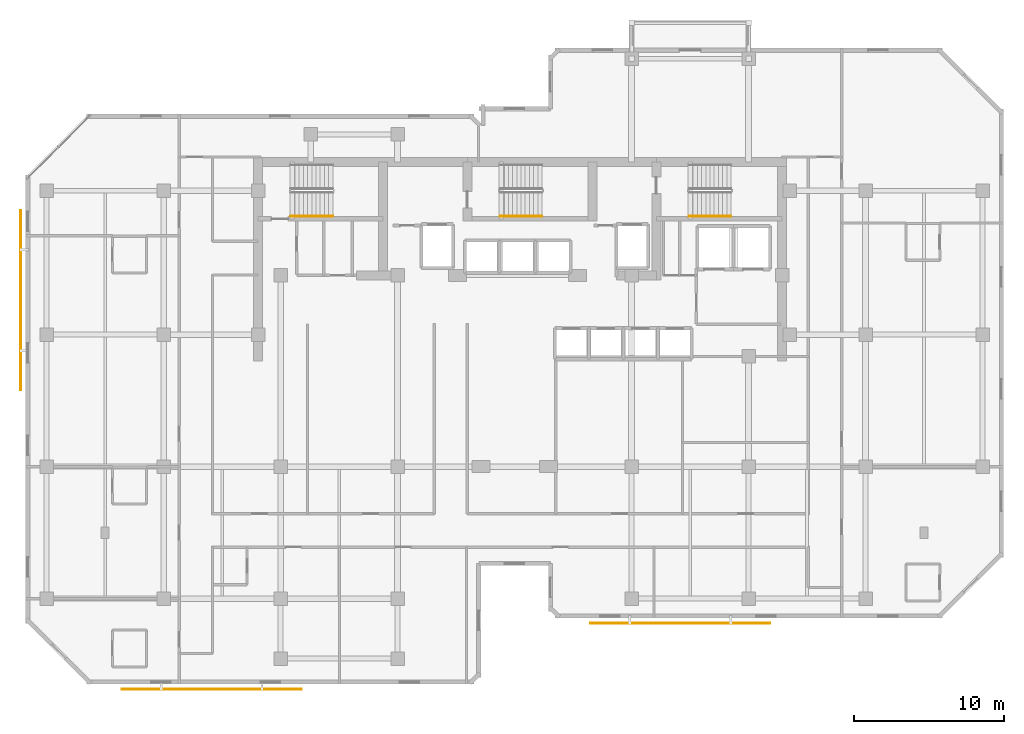
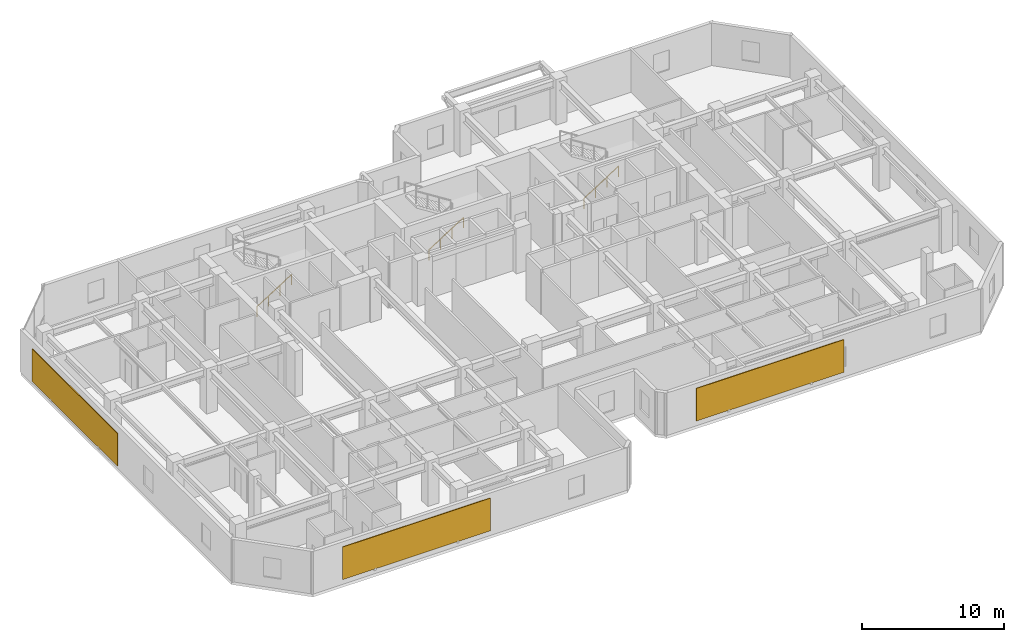
# One storey, part 9 of 10: 3 railings, 3 shading devices.
"""IFC4 building model written with IfcOpenShell, lengths in metres."""

import ifcopenshell
import ifcopenshell.guid

model = None  # the IFC model being written
_history = None  # IfcOwnerHistory: only IFC2X3 demands one
_inside = {}  # id of a spatial element -> (the spatial element, [elements in it])
_under = {}  # id of a project, library or spatial element -> (it, [spatial elements below it])
_declared = {}  # id of a project -> (the project, [libraries it declares])
_typed = {}  # id of a type object -> (the type object, [elements of that type])
_made_of = {}  # id of a material, layer set ... -> (it, [elements and type objects made of it])


def new_model(schema):
    """Start an empty IFC model of exactly this schema.

    Asked for "IFC4X3", IfcOpenShell would pick the latest addendum, in which some entities
    have other attributes; the version numbers below select the first issue.
    IFC2X3 requires an IfcOwnerHistory on every rooted entity: one is made here for all.
    """
    global model, _history
    if schema == "IFC4X3":
        model = ifcopenshell.file(schema_version=(4, 3, 0, 0))
    else:
        model = ifcopenshell.file(schema=schema)
    _inside.clear()
    _under.clear()
    _declared.clear()
    _typed.clear()
    _made_of.clear()
    _history = None
    if model.schema == "IFC2X3":
        org = make("IfcOrganization", Name="unknown")
        user = make(
            "IfcPersonAndOrganization",
            ThePerson=make("IfcPerson", FamilyName="unknown"),
            TheOrganization=org,
        )
        app = make(
            "IfcApplication",
            ApplicationDeveloper=org,
            Version="unknown",
            ApplicationFullName="unknown",
            ApplicationIdentifier="unknown",
        )
        _history = make(
            "IfcOwnerHistory",
            OwningUser=user,
            OwningApplication=app,
            ChangeAction="ADDED",
            CreationDate=0,
        )
    return model


def make(cls, **values):
    """One entity of the class cls with the attributes given. An attribute that is None is left unset."""
    return model.create_entity(
        cls, **{name: value for name, value in values.items() if value is not None}
    )


def rooted(cls, **values):
    """An entity with a GlobalId (a new one), such as an element, a storey or a relation."""
    return make(cls, GlobalId=ifcopenshell.guid.new(), OwnerHistory=_history, **values)


def si_unit(unit_type, name, prefix=None):
    """IfcSIUnit, for example si_unit("LENGTHUNIT", "METRE", prefix="MILLI")."""
    return make("IfcSIUnit", UnitType=unit_type, Prefix=prefix, Name=name)


def assignment(units):
    """IfcUnitAssignment: the units of a project."""
    return None if units is None else make("IfcUnitAssignment", Units=units)


def point(xyz):
    """IfcCartesianPoint."""
    return None if xyz is None else make("IfcCartesianPoint", Coordinates=xyz)


def direction(xyz):
    """IfcDirection."""
    return None if xyz is None else make("IfcDirection", DirectionRatios=xyz)


def frame(location, z_axis=None, x_axis=None):
    """IfcAxis2Placement3D, a coordinate frame: its origin and axes. An axis left out is left unset."""
    return make(
        "IfcAxis2Placement3D",
        Location=point(location),
        Axis=direction(z_axis),
        RefDirection=direction(x_axis),
    )


def frame_2d(location, x_axis=None):
    """IfcAxis2Placement2D, a coordinate frame in the plane: its origin and x axis."""
    return make(
        "IfcAxis2Placement2D", Location=point(location), RefDirection=direction(x_axis)
    )


def origin():
    """The frame at (0, 0, 0) with its axes left unset."""
    return frame((0.0, 0.0, 0.0))


def origin_2d():
    """The frame at (0, 0) in the plane with its x axis left unset."""
    return frame_2d((0.0, 0.0))


def place(relative_to, where):
    """IfcLocalPlacement: puts the frame where relative to a parent placement (None: the world)."""
    return make(
        "IfcLocalPlacement", PlacementRelTo=relative_to, RelativePlacement=where
    )


def context(
    kind, dimensions, precision=None, world=None, true_north=None, identifier=None
):
    """IfcGeometricRepresentationContext, for example the 3D "Model" context."""
    return make(
        "IfcGeometricRepresentationContext",
        ContextIdentifier=identifier,
        ContextType=kind,
        CoordinateSpaceDimension=dimensions,
        Precision=precision,
        WorldCoordinateSystem=world,
        TrueNorth=true_north,
    )


def subcontext(parent, identifier, kind, view, scale=None):
    """IfcGeometricRepresentationSubContext, for example "Body" below "Model"."""
    return make(
        "IfcGeometricRepresentationSubContext",
        ContextIdentifier=identifier,
        ContextType=kind,
        ParentContext=parent,
        TargetScale=scale,
        TargetView=view,
    )


def project(units=None, contexts=None):
    """IfcProject with its units and contexts."""
    return rooted(
        "IfcProject",
        Name="project",
        RepresentationContexts=contexts,
        UnitsInContext=assignment(units),
    )


def spatial(cls, under=None, at=None, **own):
    """A site, building, storey or space (cls), placed at a placement, below another one or the project."""
    s = rooted(cls, ObjectPlacement=at, **own)
    if under is not None:
        _under.setdefault(under.id(), (under, []))[1].append(s)
    return s


def profile(cls, at=None, kind="AREA", **sizes):
    """A parametric profile (cls). Its sizes go by their IFC names, for example OverallWidth=200.0."""
    return make(cls, ProfileType=kind, Position=at, **sizes)


def rectangle(**sizes):
    """IfcRectangleProfileDef."""
    return profile("IfcRectangleProfileDef", **sizes)


def circle(**sizes):
    """IfcCircleProfileDef."""
    return profile("IfcCircleProfileDef", **sizes)


def extrude(swept, where, along, depth):
    """IfcExtrudedAreaSolid: the profile swept, set in the frame where, extruded along a direction by depth."""
    return make(
        "IfcExtrudedAreaSolid",
        SweptArea=swept,
        Position=where,
        ExtrudedDirection=direction(along),
        Depth=depth,
    )


def shape(context_of_items, identifier, shape_type, items):
    """IfcShapeRepresentation: the items that make up one representation, for example the "Body"."""
    return make(
        "IfcShapeRepresentation",
        ContextOfItems=context_of_items,
        RepresentationIdentifier=identifier,
        RepresentationType=shape_type,
        Items=items,
    )


def material(Name=None, Category=None):
    """IfcMaterial."""
    return make("IfcMaterial", Name=Name, Category=Category)


def layer(
    of_material, thickness, ventilated=None, Name=None, Category=None, Priority=None
):
    """IfcMaterialLayer: one layer of a wall or slab, of a material (None: an air gap)."""
    return make(
        "IfcMaterialLayer",
        Material=of_material,
        LayerThickness=thickness,
        IsVentilated=ventilated,
        Name=Name,
        Category=Category,
        Priority=Priority,
    )


def layer_set(layers, Name=None):
    """IfcMaterialLayerSet."""
    return make("IfcMaterialLayerSet", MaterialLayers=layers, LayerSetName=Name)


def made_of(thing, what):
    """Note that an element or type object is made of a material, layer set ...; save() writes the relation."""
    if what is not None:
        _made_of.setdefault(what.id(), (what, []))[1].append(thing)
    return thing


def type_object(cls, material=None, **own):
    """A type object (cls), such as IfcWallType, which elements share."""
    return made_of(rooted(cls, **own), material)


def element(
    cls,
    number,
    at=None,
    inside=None,
    cuts=None,
    type_object=None,
    material=None,
    context=None,
    identifier="Body",
    shape_type=None,
    held_by="IfcProductDefinitionShape",
    body=None,
    shapes=None,
    **own,
):
    """One element of the class cls, such as IfcWall. Its Tag is "e" and its number.

    at: its placement. inside: the storey or other place that contains it. cuts: it is an
    opening in that element (IfcRelVoidsElement). A single representation is given by context,
    identifier, shape_type and body (its items); several are given by shapes. held_by: the class
    of the entity that holds the representations. save() writes the other relations.
    """
    e = rooted(cls, Tag="e%d" % number, ObjectPlacement=at, **own)
    if body is not None:
        shapes = [shape(context, identifier, shape_type, body)]
    if shapes is not None:
        e.Representation = make(held_by, Representations=shapes)
    if inside is not None:
        _inside.setdefault(inside.id(), (inside, []))[1].append(e)
    if cuts is not None:
        rooted(
            "IfcRelVoidsElement", RelatingBuildingElement=cuts, RelatedOpeningElement=e
        )
    if type_object is not None:
        _typed.setdefault(type_object.id(), (type_object, []))[1].append(e)
    return made_of(e, material)


def aggregate(whole, parts):
    """IfcRelAggregates: a whole, such as a stair, and the parts it consists of."""
    return rooted("IfcRelAggregates", RelatingObject=whole, RelatedObjects=parts)


def save(model, path):
    """Write the relations noted so far, then the file.

    IfcRelAggregates (storeys below a building ...), IfcRelContainedInSpatialStructure (elements
    in a storey), IfcRelDefinesByType, IfcRelAssociatesMaterial and IfcRelDeclares: one each for
    every whole, place, type object, material and project.
    """
    for whole, parts in _under.values():
        aggregate(whole, parts)
    for where, things in _inside.values():
        rooted(
            "IfcRelContainedInSpatialStructure",
            RelatedElements=things,
            RelatingStructure=where,
        )
    for kind, things in _typed.values():
        rooted("IfcRelDefinesByType", RelatedObjects=things, RelatingType=kind)
    for what, things in _made_of.values():
        rooted("IfcRelAssociatesMaterial", RelatedObjects=things, RelatingMaterial=what)
    for by, libraries in _declared.values():
        rooted("IfcRelDeclares", RelatingContext=by, RelatedDefinitions=libraries)
    model.write(path)


model = new_model("IFC4")

# Units and contexts
model_context = context("Model", 3, precision=1e-05, world=origin(), true_north=direction((0.0, 1.0)))
body_context = subcontext(model_context, "Body", "Model", "MODEL_VIEW")
ifc_project = project(units=[si_unit("LENGTHUNIT", "METRE"), si_unit("AREAUNIT", "SQUARE_METRE"), si_unit("VOLUMEUNIT", "CUBIC_METRE"), si_unit("PLANEANGLEUNIT", "RADIAN"), si_unit("MASSUNIT", "GRAM", prefix="KILO")], contexts=[model_context])

# Site, building, storey
site_placement = place(None, origin())
site = spatial("IfcSite", under=ifc_project, at=site_placement, CompositionType="ELEMENT")
building_placement = place(site_placement, origin())
building = spatial("IfcBuilding", under=site, at=building_placement, Name="Kestravale Grand Hotel", CompositionType="ELEMENT")
storey_placement = place(building_placement, frame((0.0, 0.0, 220.199951171875)))
storey = spatial("IfcBuildingStorey", under=building, at=storey_placement, Name="L55", CompositionType="ELEMENT", Elevation=220.199951171875)

# Railings
ifc_material_1 = material(Name="Brushed stainless steel wall handrail", Category="steel")
railing_type = type_object("IfcRailingType", Name="RL-ST-HND900", PredefinedType="HANDRAIL", material=ifc_material_1)
railing_placement = place(storey_placement, frame((24.080078125, 36.699951171875, 0.17724609375)))
element("IfcRailing", 1, at=railing_placement, inside=storey, type_object=railing_type, Name="L55 ST-1 stair handrail 1", PredefinedType="HANDRAIL", context=body_context, shape_type="SweptSolid", body=[
    extrude(circle(Radius=0.02392578125, at=origin_2d()), frame((0.0, 0.0, 0.8759765625), z_axis=(0.844887892834, 0.0, 0.53494340686), x_axis=(0.0, 1.0, 0.0)), (0.0, 0.0, 1.0), 3.313720703125),
    extrude(circle(Radius=0.02099609375, at=origin_2d()), origin(), (0.0, 0.0, 1.0), 0.851806640625),
    extrude(circle(Radius=0.02099609375, at=origin_2d()), frame((0.933349609375, 0.0, 0.5908203125)), (0.0, 0.0, 1.0), 0.851806640625),
    extrude(circle(Radius=0.02099609375, at=origin_2d()), frame((1.866455078125, 0.0, 1.181884765625)), (0.0, 0.0, 1.0), 0.851806640625),
    extrude(circle(Radius=0.02099609375, at=origin_2d()), frame((2.7998046875, 0.0, 1.772705078125)), (0.0, 0.0, 1.0), 0.851806640625),
])
for number, where, name in (
    (2, (38.030029296875, 36.699951171875, 0.17724609375), "L55 ST-2 stair handrail 1"),
    (3, (50.6298828125, 36.699951171875, 0.17724609375), "L55 ST-3 stair handrail 1"),
):
    element("IfcRailing", number, at=place(storey_placement, frame(where)), inside=storey, type_object=railing_type, Name=name, PredefinedType="HANDRAIL", context=body_context, shape_type="SweptSolid", body=[
        extrude(circle(Radius=0.02392578125, at=origin_2d()), frame((0.0, 0.0, 0.8759765625), z_axis=(0.844908973607, 0.0, 0.534910110503), x_axis=(0.0, 1.0, 0.0)), (0.0, 0.0, 1.0), 3.31396484375),
        extrude(circle(Radius=0.02099609375, at=origin_2d()), origin(), (0.0, 0.0, 1.0), 0.851806640625),
        extrude(circle(Radius=0.02099609375, at=origin_2d()), frame((0.933349609375, 0.0, 0.5908203125)), (0.0, 0.0, 1.0), 0.851806640625),
        extrude(circle(Radius=0.02099609375, at=origin_2d()), frame((1.86669921875, 0.0, 1.181884765625)), (0.0, 0.0, 1.0), 0.851806640625),
        extrude(circle(Radius=0.02099609375, at=origin_2d()), frame((2.800048828125, 0.0, 1.772705078125)), (0.0, 0.0, 1.0), 0.851806640625),
    ])

# Shading devices
ifc_material_2 = material(Name="Perforated champagne-bronze aluminium and ceramic solar screen", Category="aluminium")
ifc_layer = layer(ifc_material_2, 0.06494140625)
ifc_layer_set = layer_set([ifc_layer], Name="SHD-SCR-CHEV")
shading_device_type = type_object("IfcShadingDeviceType", Name="SHD-SCR-CHEV", PredefinedType="USERDEFINED", material=ifc_layer_set)
for number, where, z_axis, x_axis, name in (
    (4, (18.800048828125, 5.159912109375, 0.7001953125), (0.0, 0.0, 1.0), (1.0, 0.0, 0.0), "L55 Perforated bronze ceramic chevron solar screen SCR-L55-01"),
    (5, (50.050048828125, 9.56005859375, 0.7001953125), (0.0, 0.0, 1.0), (1.0, 0.0, 0.0), "L55 Perforated bronze ceramic chevron solar screen SCR-L55-07"),
    (6, (6.06005859375, 31.10009765625, 0.7001953125), (0.0, 0.0, 1.0), (0.0, -1.0, 0.0), "L55 Perforated bronze ceramic chevron solar screen SCR-L55-19"),
):
    element("IfcShadingDevice", number, at=place(storey_placement, frame(where, z_axis=z_axis, x_axis=x_axis)), inside=storey, type_object=shading_device_type, Name=name, ObjectType="SCREEN", PredefinedType="USERDEFINED", context=body_context, shape_type="SweptSolid", body=[
        extrude(rectangle(XDim=12.0, YDim=0.06494140625, at=origin_2d()), origin(), (0.0, 0.0, 1.0), 2.800048828125),
    ])

save(model, "model.ifc")
